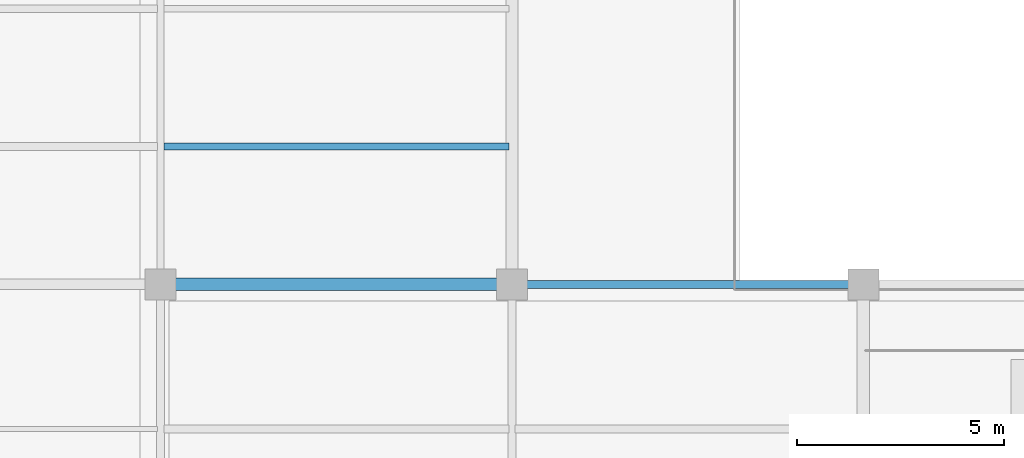
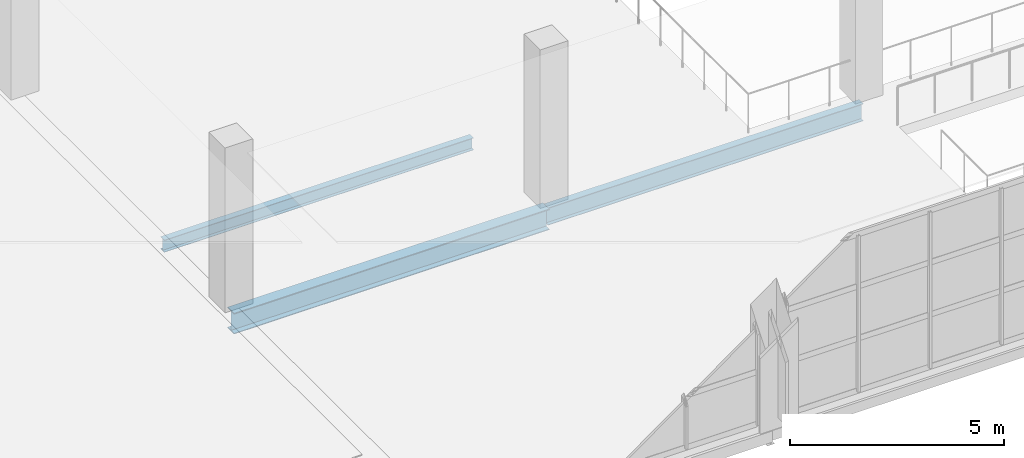
# One storey, part 13 of 101: 3 beams.
"""IFC4 building model written with IfcOpenShell, lengths in metres."""

from ifc_helpers import new_model, si_unit, direction, frame, origin, origin_2d, place, context, subcontext, project, spatial, i_section, extrude, material, material_profile, profile_set, type_object, element, save


model = new_model("IFC4")

# Units and contexts
model_context = context("Model", 3, precision=1e-05, world=origin(), true_north=direction((0.0, 1.0)))
body_context = subcontext(model_context, "Body", "Model", "MODEL_VIEW")
ifc_project = project(units=[si_unit("LENGTHUNIT", "METRE"), si_unit("AREAUNIT", "SQUARE_METRE"), si_unit("VOLUMEUNIT", "CUBIC_METRE"), si_unit("PLANEANGLEUNIT", "RADIAN"), si_unit("MASSUNIT", "GRAM", prefix="KILO")], contexts=[model_context])

# Site, building, storey
site_placement = place(None, origin())
site = spatial("IfcSite", under=ifc_project, at=site_placement, CompositionType="ELEMENT")
building_placement = place(site_placement, origin())
building = spatial("IfcBuilding", under=site, at=building_placement, Name="Solvikara Media Centre", CompositionType="ELEMENT")
storey_placement = place(building_placement, frame((0.0, 0.0, 10.199951171875)))
storey = spatial("IfcBuildingStorey", under=building, at=storey_placement, Name="L02", CompositionType="ELEMENT", Elevation=10.199951171875)

# Beams
ifc_material = material(Name="Steel S355JR", Category="steel")
ifc_material_profile_1 = material_profile(ifc_material, i_section(OverallWidth=0.175048828125, OverallDepth=0.35009765625, WebThickness=0.007080078125, FlangeThickness=0.010986328125, at=origin_2d()), Name="WF 350x175x7x11")
ifc_profile_set_1 = profile_set([ifc_material_profile_1], Name="Steel S355JR")
beam_type_1 = type_object("IfcBeamType", Name="BM-22", PredefinedType="JOIST", material=ifc_profile_set_1)
beam_1_placement = place(storey_placement, frame((34.077880859375, 13.8330078125, -0.45703125), z_axis=(1.0, 0.0, 0.0), x_axis=(0.0, 1.0, 0.0)))
element("IfcBeam", 1, at=beam_1_placement, inside=storey, type_object=beam_type_1, Name="J-L02-1098", PredefinedType="JOIST", context=body_context, shape_type="SweptSolid", body=[
    extrude(i_section(OverallWidth=0.175048828125, OverallDepth=0.35009765625, WebThickness=0.007080078125, FlangeThickness=0.010986328125, at=origin_2d()), origin(), (0.0, 0.0, 1.0), 8.34423828125),
])
ifc_material_profile_2 = material_profile(ifc_material, i_section(OverallWidth=0.302001953125, OverallDepth=0.593994140625, WebThickness=0.013916015625, FlangeThickness=0.02294921875, at=origin_2d()), Name="H 594x302x14x23")
ifc_profile_set_2 = profile_set([ifc_material_profile_2], Name="Steel S355JR")
beam_type_2 = type_object("IfcBeamType", Name="BM-41", PredefinedType="BEAM", material=ifc_profile_set_2)
beam_2_placement = place(storey_placement, frame((34.0, 10.5, -0.578857421875), z_axis=(1.0, 0.0, 0.0), x_axis=(0.0, 1.0, 0.0)))
element("IfcBeam", 2, at=beam_2_placement, inside=storey, type_object=beam_type_2, Name="B-L02-X0837", PredefinedType="BEAM", context=body_context, shape_type="SweptSolid", body=[
    extrude(i_section(OverallWidth=0.302001953125, OverallDepth=0.593994140625, WebThickness=0.013916015625, FlangeThickness=0.02294921875, at=origin_2d()), origin(), (0.0, 0.0, 1.0), 8.5),
])
ifc_material_profile_3 = material_profile(ifc_material, i_section(OverallWidth=0.198974609375, OverallDepth=0.49609375, WebThickness=0.009033203125, FlangeThickness=0.013916015625, at=origin_2d()), Name="H 496x199x9x14")
ifc_profile_set_3 = profile_set([ifc_material_profile_3], Name="Steel S355JR")
beam_type_3 = type_object("IfcBeamType", Name="BM-42", PredefinedType="BEAM", material=ifc_profile_set_3)
beam_3_placement = place(storey_placement, frame((42.5, 10.5, -0.530029296875), z_axis=(1.0, 0.0, 0.0), x_axis=(0.0, 1.0, 0.0)))
element("IfcBeam", 3, at=beam_3_placement, inside=storey, type_object=beam_type_3, Name="B-L02-X0838", PredefinedType="BEAM", context=body_context, shape_type="SweptSolid", body=[
    extrude(i_section(OverallWidth=0.198974609375, OverallDepth=0.49609375, WebThickness=0.009033203125, FlangeThickness=0.013916015625, at=origin_2d()), origin(), (0.0, 0.0, 1.0), 8.5),
])

save(model, "model.ifc")
